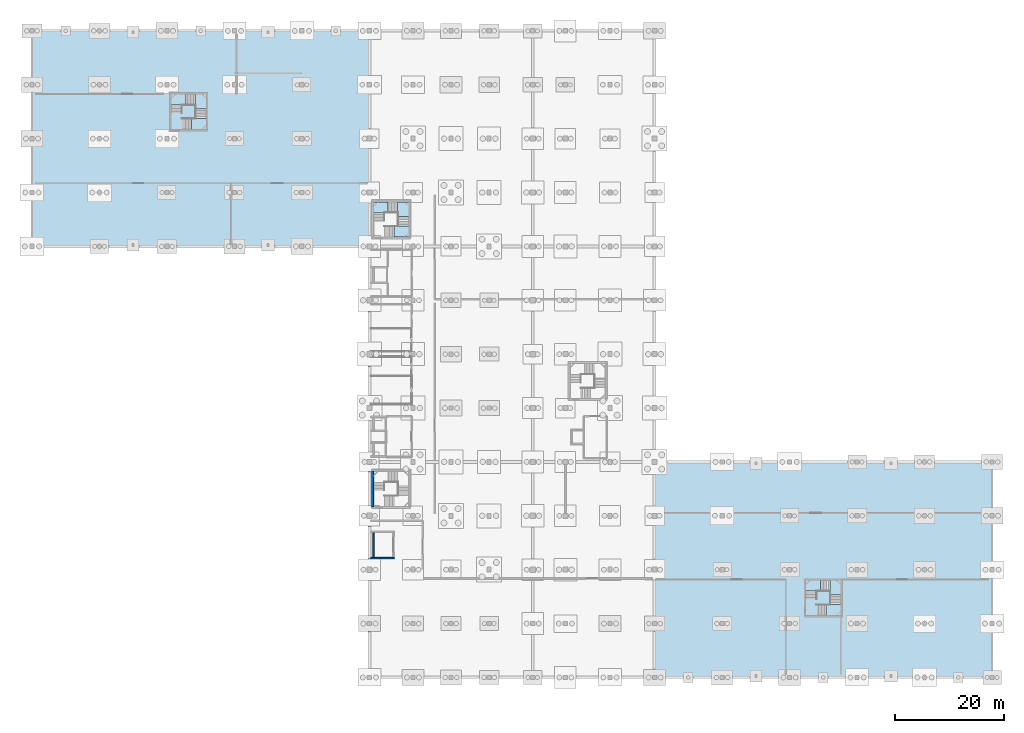
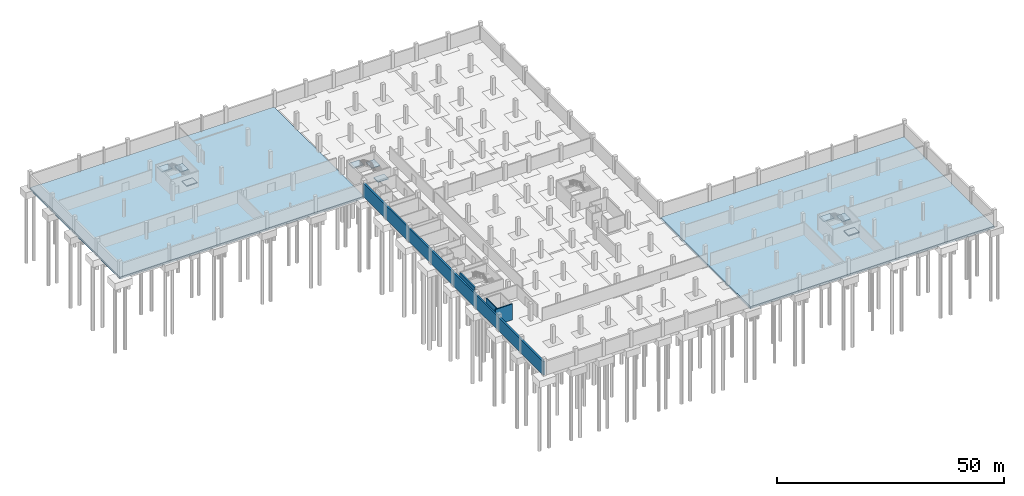
# One storey, part 11 of 30: 11 slabs, 4 walls, 3 elements without a shape of their own.
"""IFC4 building model written with IfcOpenShell, lengths in metres."""

from ifc_helpers import new_model, si_unit, direction, frame, frame_2d, origin, place, context, subcontext, project, spatial, polyline, rectangle, outline, extrude, material, layer, layer_set, type_object, element, aggregate, save


model = new_model("IFC4")

# Units and contexts
model_context = context("Model", 3, precision=1e-05, world=origin(), true_north=direction((0.0, 1.0)))
body_context = subcontext(model_context, "Body", "Model", "MODEL_VIEW")
ifc_project = project(units=[si_unit("LENGTHUNIT", "METRE"), si_unit("AREAUNIT", "SQUARE_METRE"), si_unit("VOLUMEUNIT", "CUBIC_METRE"), si_unit("PLANEANGLEUNIT", "RADIAN"), si_unit("MASSUNIT", "GRAM", prefix="KILO")], contexts=[model_context])

# Site, building, storey
site_placement = place(None, origin())
site = spatial("IfcSite", under=ifc_project, at=site_placement, CompositionType="ELEMENT")
building_placement = place(site_placement, origin())
building = spatial("IfcBuilding", under=site, at=building_placement, Name="Sillaruma Civic Art Gallery", CompositionType="ELEMENT")
storey_placement = place(building_placement, frame((0.0, 0.0, -9.179931640625)))
storey = spatial("IfcBuildingStorey", under=building, at=storey_placement, Name="B02", CompositionType="ELEMENT", Elevation=-9.179931640625)

# Slabs
ifc_material_1 = material(Name="Concrete H35 (35 MPa)", Category="concrete")
ifc_layer_1 = layer(ifc_material_1, 0.60009765625, Name="Concrete H35 (35 MPa)")
ifc_layer_set_1 = layer_set([ifc_layer_1], Name="Concrete H35 (35 MPa)")
slab_type_1 = type_object("IfcSlabType", Name="SLB-BASE-600", PredefinedType="BASESLAB", material=ifc_layer_set_1)
slab_1_placement = place(storey_placement, frame((0.0, 0.0, -0.60009765625)))
element("IfcSlab", 1, at=slab_1_placement, inside=storey, type_object=slab_type_1, Name="Base Slab SB-600 (SLB-B02-WEST)", PredefinedType="BASESLAB", context=body_context, shape_type="SweptSolid", body=[
    extrude(outline(polyline([(0.0, 79.199951171875), (62.0, 79.199951171875), (62.0, 118.800048828125), (0.0, 118.800048828125), (0.0, 79.199951171875)])), origin(), (0.0, 0.0, 1.0), 0.60009765625),
])
slab_2_placement = place(storey_placement, frame((0.0, 0.0, -0.60009765625)))
element("IfcSlab", 2, at=slab_2_placement, inside=storey, type_object=slab_type_1, Name="Base Slab SB-600 (SLB-B02-EAST)", PredefinedType="BASESLAB", context=body_context, shape_type="SweptSolid", body=[
    extrude(outline(polyline([(114.39990234375, 0.0), (176.39990234375, 0.0), (176.39990234375, 39.60009765625), (114.39990234375, 39.60009765625), (114.39990234375, 0.0)])), origin(), (0.0, 0.0, 1.0), 0.60009765625),
])

# Stair, slabs
stair_type = type_object("IfcStairType", Name="STR-4F-27", PredefinedType="USERDEFINED", material=ifc_material_1)
stair_1_placement = place(storey_placement, origin())
stair_1 = element("IfcStair", 3, at=stair_1_placement, inside=storey, type_object=stair_type, Name="Protected Exit Stair ST-01 (West Wing) (B02)", ObjectType="THREE_RETURN_STAIR", PredefinedType="USERDEFINED")
ifc_layer_2 = layer(ifc_material_1, 0.199951171875, Name="Concrete H35 (35 MPa)")
ifc_layer_set_2 = layer_set([ifc_layer_2], Name="Concrete H35 (35 MPa)")
slab_type_2 = type_object("IfcSlabType", Name="SLB-LND-200", PredefinedType="LANDING", material=ifc_layer_set_2)
slab_3_placement = place(storey_placement, frame((0.0, 0.0, 0.989990234375)))
slab_3 = element("IfcSlab", 4, at=slab_3_placement, type_object=slab_type_2, Name="ST-01 landing 1", PredefinedType="LANDING", context=body_context, shape_type="SweptSolid", body=[
    extrude(outline(polyline([(29.340087890625, 100.699951171875), (32.0400390625, 100.699951171875), (32.0400390625, 102.739990234375), (29.340087890625, 102.739990234375), (29.340087890625, 100.699951171875)])), origin(), (0.0, 0.0, 1.0), 0.199951171875),
])
slab_4_placement = place(storey_placement, frame((0.0, 0.0, 2.179931640625)))
slab_4 = element("IfcSlab", 5, at=slab_4_placement, type_object=slab_type_2, Name="ST-01 landing 2", PredefinedType="LANDING", context=body_context, shape_type="SweptSolid", body=[
    extrude(outline(polyline([(30.0, 104.47998046875), (32.0400390625, 104.47998046875), (32.0400390625, 107.179931640625), (30.0, 107.179931640625), (30.0, 104.47998046875)])), origin(), (0.0, 0.0, 1.0), 0.199951171875),
])
slab_5_placement = place(storey_placement, frame((0.0, 0.0, 3.369873046875)))
slab_5 = element("IfcSlab", 6, at=slab_5_placement, type_object=slab_type_2, Name="ST-01 landing 3", PredefinedType="LANDING", context=body_context, shape_type="SweptSolid", body=[
    extrude(outline(polyline([(25.56005859375, 105.139892578125), (28.260009765625, 105.139892578125), (28.260009765625, 107.179931640625), (25.56005859375, 107.179931640625), (25.56005859375, 105.139892578125)])), origin(), (0.0, 0.0, 1.0), 0.199951171875),
])
aggregate(stair_1, [slab_3, slab_4, slab_5])

stair_2_placement = place(storey_placement, origin())
stair_2 = element("IfcStair", 7, at=stair_2_placement, inside=storey, type_object=stair_type, Name="Protected Exit Stair ST-02 (West Bar North) (B02)", ObjectType="THREE_RETURN_STAIR", PredefinedType="USERDEFINED")
slab_6_placement = place(storey_placement, frame((0.0, 0.0, 0.989990234375)))
slab_6 = element("IfcSlab", 8, at=slab_6_placement, type_object=slab_type_2, Name="ST-02 landing 1", PredefinedType="LANDING", context=body_context, shape_type="SweptSolid", body=[
    extrude(outline(polyline([(66.5400390625, 80.909912109375), (69.239990234375, 80.909912109375), (69.239990234375, 82.949951171875), (66.5400390625, 82.949951171875), (66.5400390625, 80.909912109375)])), origin(), (0.0, 0.0, 1.0), 0.199951171875),
])
slab_7_placement = place(storey_placement, frame((0.0, 0.0, 2.179931640625)))
slab_7 = element("IfcSlab", 9, at=slab_7_placement, type_object=slab_type_2, Name="ST-02 landing 2", PredefinedType="LANDING", context=body_context, shape_type="SweptSolid", body=[
    extrude(outline(polyline([(67.199951171875, 84.68994140625), (69.239990234375, 84.68994140625), (69.239990234375, 87.389892578125), (67.199951171875, 87.389892578125), (67.199951171875, 84.68994140625)])), origin(), (0.0, 0.0, 1.0), 0.199951171875),
])
slab_8_placement = place(storey_placement, frame((0.0, 0.0, 3.369873046875)))
slab_8 = element("IfcSlab", 10, at=slab_8_placement, type_object=slab_type_2, Name="ST-02 landing 3", PredefinedType="LANDING", context=body_context, shape_type="SweptSolid", body=[
    extrude(outline(polyline([(62.760009765625, 85.35009765625), (65.4599609375, 85.35009765625), (65.4599609375, 87.389892578125), (62.760009765625, 87.389892578125), (62.760009765625, 85.35009765625)])), origin(), (0.0, 0.0, 1.0), 0.199951171875),
])
aggregate(stair_2, [slab_6, slab_7, slab_8])

stair_3_placement = place(storey_placement, origin())
stair_3 = element("IfcStair", 11, at=stair_3_placement, inside=storey, type_object=stair_type, Name="Protected Exit Stair ST-05 (East Wing) (B02)", ObjectType="THREE_RETURN_STAIR", PredefinedType="USERDEFINED")
slab_9_placement = place(storey_placement, frame((0.0, 0.0, 0.989990234375)))
slab_9 = element("IfcSlab", 12, at=slab_9_placement, type_object=slab_type_2, Name="ST-05 landing 1", PredefinedType="LANDING", context=body_context, shape_type="SweptSolid", body=[
    extrude(outline(polyline([(145.93994140625, 11.39990234375), (148.639892578125, 11.39990234375), (148.639892578125, 13.43994140625), (145.93994140625, 13.43994140625), (145.93994140625, 11.39990234375)])), origin(), (0.0, 0.0, 1.0), 0.199951171875),
])
slab_10_placement = place(storey_placement, frame((0.0, 0.0, 2.179931640625)))
slab_10 = element("IfcSlab", 13, at=slab_10_placement, type_object=slab_type_2, Name="ST-05 landing 2", PredefinedType="LANDING", context=body_context, shape_type="SweptSolid", body=[
    extrude(outline(polyline([(146.60009765625, 15.179931640625), (148.639892578125, 15.179931640625), (148.639892578125, 17.8798828125), (146.60009765625, 17.8798828125), (146.60009765625, 15.179931640625)])), origin(), (0.0, 0.0, 1.0), 0.199951171875),
])
slab_11_placement = place(storey_placement, frame((0.0, 0.0, 3.369873046875)))
slab_11 = element("IfcSlab", 14, at=slab_11_placement, type_object=slab_type_2, Name="ST-05 landing 3", PredefinedType="LANDING", context=body_context, shape_type="SweptSolid", body=[
    extrude(outline(polyline([(142.159912109375, 15.840087890625), (144.860107421875, 15.840087890625), (144.860107421875, 17.8798828125), (142.159912109375, 17.8798828125), (142.159912109375, 15.840087890625)])), origin(), (0.0, 0.0, 1.0), 0.199951171875),
])
aggregate(stair_3, [slab_9, slab_10, slab_11])

# Walls
ifc_material_2 = material(Name="Concrete H40 (40 MPa)", Category="concrete")
ifc_layer_3 = layer(ifc_material_2, 0.35009765625, Name="Concrete H40 (40 MPa)")
ifc_layer_set_3 = layer_set([ifc_layer_3], Name="Concrete H40 (40 MPa)")
wall_type_1 = type_object("IfcWallType", Name="WAL-CORE-350", PredefinedType="SHEAR", material=ifc_layer_set_3)
wall_1_placement = place(storey_placement, frame((62.5849609375, 31.409912109375, 0.0), z_axis=(0.0, 0.0, 1.0), x_axis=(0.0, 1.0, 0.0)))
element("IfcWall", 15, at=wall_1_placement, inside=storey, type_object=wall_type_1, Name="Stair Core Shear Wall W-CORE-350 (ST-03:B02:W)", PredefinedType="SHEAR", context=body_context, shape_type="SweptSolid", body=[
    extrude(rectangle(XDim=6.47998046875, YDim=0.35009765625, at=frame_2d((3.239990234375, 0.0))), origin(), (0.0, 0.0, 1.0), 4.309814453125),
])
ifc_layer_4 = layer(ifc_material_2, 0.43994140625, Name="Concrete H40 (40 MPa)")
ifc_layer_set_4 = layer_set([ifc_layer_4], Name="Concrete H40 (40 MPa)")
wall_type_2 = type_object("IfcWallType", Name="WAL-RET-440", PredefinedType="USERDEFINED", material=ifc_layer_set_4)
wall_2_placement = place(storey_placement, frame((62.0, 79.199951171875, 0.0), z_axis=(0.0, 0.0, 1.0), x_axis=(0.0, -1.0, 0.0)))
element("IfcWall", 16, at=wall_2_placement, inside=storey, type_object=wall_type_2, Name="Exterior Wall W-RET-440 (RET-B02-08)", ObjectType="RETAININGWALL", PredefinedType="USERDEFINED", context=body_context, shape_type="SweptSolid", body=[
    extrude(rectangle(XDim=79.199951171875, YDim=0.43994140625, at=frame_2d((39.60009765625, 0.0))), origin(), (0.0, 0.0, 1.0), 3.659912109375),
])
ifc_layer_5 = layer(ifc_material_2, 0.25, Name="Concrete H40 (40 MPa)")
ifc_layer_set_5 = layer_set([ifc_layer_5], Name="Concrete H40 (40 MPa)")
wall_type_3 = type_object("IfcWallType", Name="WAL-SHAFT-250", PredefinedType="SOLIDWALL", material=ifc_layer_set_5)
wall_3_placement = place(storey_placement, frame((62.219970703125, 21.925048828125, 0.0), z_axis=(0.0, 0.0, 1.0), x_axis=(1.0, 0.0, 0.0)))
element("IfcWall", 17, at=wall_3_placement, inside=storey, type_object=wall_type_3, Name="Lift Shaft Wall W-SHAFT-250 (GL-01:B02:S)", PredefinedType="SOLIDWALL", context=body_context, shape_type="SweptSolid", body=[
    extrude(rectangle(XDim=4.330078125, YDim=0.25, at=frame_2d((2.1650390625, 0.0))), origin(), (0.0, 0.0, 1.0), 4.2900390625),
])
wall_4_placement = place(storey_placement, frame((62.77490234375, 22.050048828125, 0.0), z_axis=(0.0, 0.0, 1.0), x_axis=(0.0, 1.0, 0.0)))
element("IfcWall", 18, at=wall_4_placement, inside=storey, type_object=wall_type_3, Name="Lift Shaft Wall W-SHAFT-250 (GL-01:B02:W)", PredefinedType="SOLIDWALL", context=body_context, shape_type="SweptSolid", body=[
    extrude(rectangle(XDim=4.599853515625, YDim=0.25, at=frame_2d((2.2998046875, 0.0))), origin(), (0.0, 0.0, 1.0), 4.2900390625),
])

save(model, "model.ifc")
